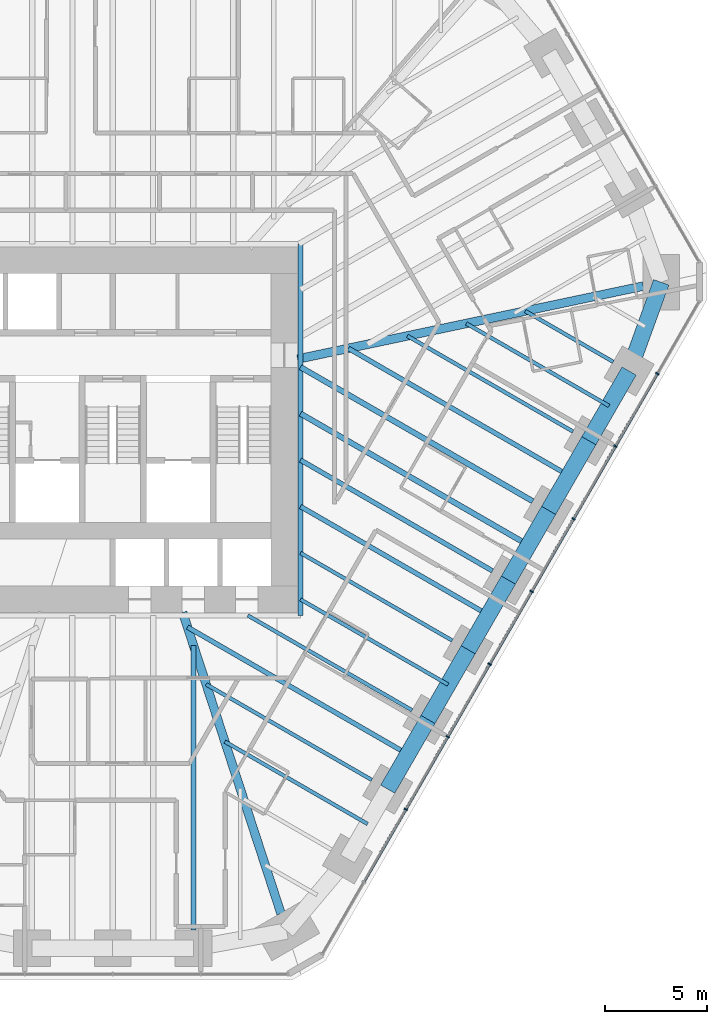
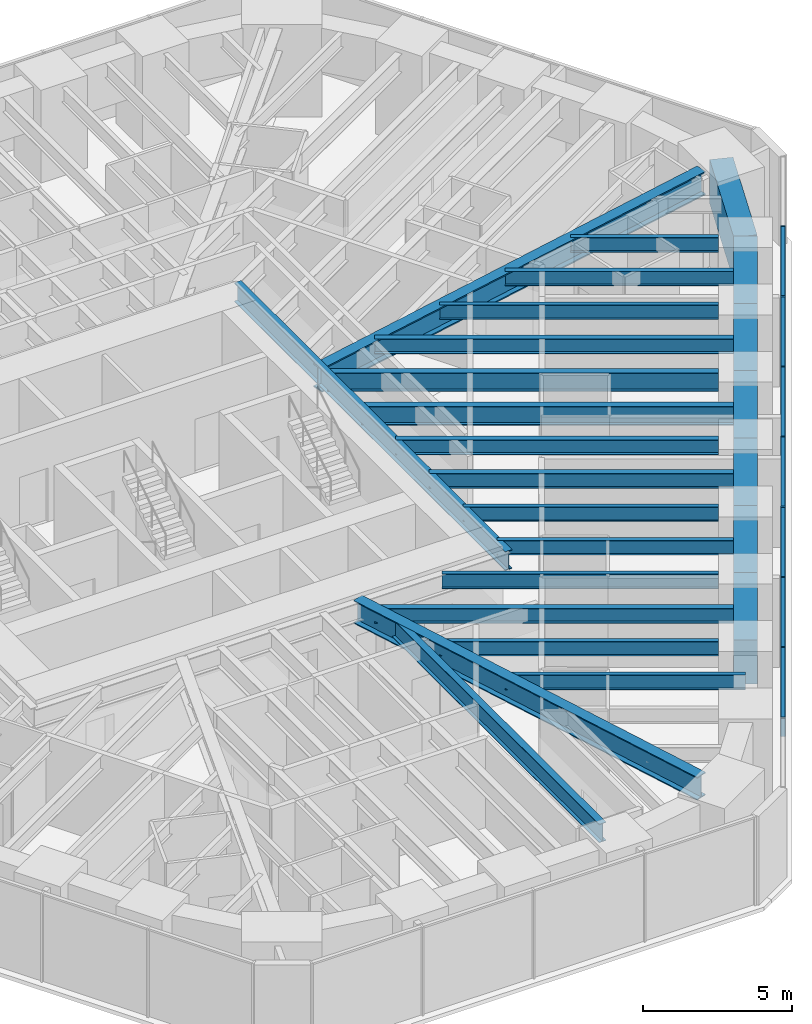
# One storey, part 5 of 17: 25 beams, 14 members, 1 element without a shape of its own.
"""IFC4 building model written with IfcOpenShell, lengths in metres."""

from ifc_helpers import new_model, si_unit, direction, frame, origin, origin_2d, place, context, subcontext, project, spatial, rectangle, i_section, extrude, material, material_profile, profile_set, type_object, element, aggregate, save


model = new_model("IFC4")

# Units and contexts
model_context = context("Model", 3, precision=1e-05, world=origin(), true_north=direction((0.0, 1.0)))
body_context = subcontext(model_context, "Body", "Model", "MODEL_VIEW")
ifc_project = project(units=[si_unit("LENGTHUNIT", "METRE"), si_unit("AREAUNIT", "SQUARE_METRE"), si_unit("VOLUMEUNIT", "CUBIC_METRE"), si_unit("PLANEANGLEUNIT", "RADIAN"), si_unit("MASSUNIT", "GRAM", prefix="KILO")], contexts=[model_context])

# Site, building, storey
site_placement = place(None, origin())
site = spatial("IfcSite", under=ifc_project, at=site_placement, CompositionType="ELEMENT")
building_placement = place(site_placement, origin())
building = spatial("IfcBuilding", under=site, at=building_placement, Name="Sandreach Pilgrim Tower", CompositionType="ELEMENT")
storey_placement = place(building_placement, frame((0.0, 0.0, 119.60009765625)))
storey = spatial("IfcBuildingStorey", under=building, at=storey_placement, Name="L29", CompositionType="ELEMENT", Elevation=119.60009765625)

# Curtain wall, members
ifc_material_1 = material(Name="Aluminium framed curtain wall", Category="aluminium")
curtain_wall_type = type_object("IfcCurtainWallType", Name="Hotel tower curtain wall", PredefinedType="NOTDEFINED", material=ifc_material_1)
curtain_wall_placement = place(storey_placement, origin())
curtain_wall = element("IfcCurtainWall", 1, at=curtain_wall_placement, inside=storey, type_object=curtain_wall_type, Name="CW-2 L29 SE", PredefinedType="NOTDEFINED")
ifc_material_2 = material(Name="Aluminium extrusion", Category="aluminium")
ifc_material_profile_1 = material_profile(ifc_material_2, rectangle(XDim=0.06494140625, YDim=0.179931640625, at=origin_2d()), Name="CW-2M 65X180")
ifc_profile_set_1 = profile_set([ifc_material_profile_1], Name="Aluminium extrusion")
member_type_1 = type_object("IfcMemberType", Name="CW-2 mullion", PredefinedType="MULLION", material=ifc_profile_set_1)
member_1_placement = place(storey_placement, frame((26.66748046875, 1.20166015625, 0.0), z_axis=(0.0, 0.0, 1.0), x_axis=(-0.5, -0.866025403784, 0.0)))
member_1 = element("IfcMember", 2, at=member_1_placement, type_object=member_type_1, Name="CW-2 mullion 2", PredefinedType="MULLION", context=body_context, shape_type="SweptSolid", body=[
    extrude(rectangle(XDim=0.06494140625, YDim=0.179931640625, at=origin_2d()), origin(), (0.0, 0.0, 1.0), 3.639892578125),
])
member_2_placement = place(storey_placement, frame((24.614013671875, -2.35498046875, 0.0), z_axis=(0.0, 0.0, 1.0), x_axis=(-0.5, -0.866025403784, 0.0)))
member_2 = element("IfcMember", 3, at=member_2_placement, type_object=member_type_1, Name="CW-2 mullion 3", PredefinedType="MULLION", context=body_context, shape_type="SweptSolid", body=[
    extrude(rectangle(XDim=0.06494140625, YDim=0.179931640625, at=origin_2d()), origin(), (0.0, 0.0, 1.0), 3.639892578125),
])
member_3_placement = place(storey_placement, frame((22.560302734375, -5.911865234375, 0.0), z_axis=(0.0, 0.0, 1.0), x_axis=(-0.5, -0.866025403784, 0.0)))
member_3 = element("IfcMember", 4, at=member_3_placement, type_object=member_type_1, Name="CW-2 mullion 4", PredefinedType="MULLION", context=body_context, shape_type="SweptSolid", body=[
    extrude(rectangle(XDim=0.06494140625, YDim=0.179931640625, at=origin_2d()), origin(), (0.0, 0.0, 1.0), 3.639892578125),
])
member_4_placement = place(storey_placement, frame((20.5068359375, -9.468505859375, 0.0), z_axis=(0.0, 0.0, 1.0), x_axis=(-0.5, -0.866025403784, 0.0)))
member_4 = element("IfcMember", 5, at=member_4_placement, type_object=member_type_1, Name="CW-2 mullion 5", PredefinedType="MULLION", context=body_context, shape_type="SweptSolid", body=[
    extrude(rectangle(XDim=0.06494140625, YDim=0.179931640625, at=origin_2d()), origin(), (0.0, 0.0, 1.0), 3.639892578125),
])
member_5_placement = place(storey_placement, frame((18.453369140625, -13.025146484375, 0.0), z_axis=(0.0, 0.0, 1.0), x_axis=(-0.5, -0.866025403784, 0.0)))
member_5 = element("IfcMember", 6, at=member_5_placement, type_object=member_type_1, Name="CW-2 mullion 6", PredefinedType="MULLION", context=body_context, shape_type="SweptSolid", body=[
    extrude(rectangle(XDim=0.06494140625, YDim=0.179931640625, at=origin_2d()), origin(), (0.0, 0.0, 1.0), 3.639892578125),
])
member_6_placement = place(storey_placement, frame((16.39990234375, -16.58203125, 0.0), z_axis=(0.0, 0.0, 1.0), x_axis=(-0.5, -0.866025403784, 0.0)))
member_6 = element("IfcMember", 7, at=member_6_placement, type_object=member_type_1, Name="CW-2 mullion 7", PredefinedType="MULLION", context=body_context, shape_type="SweptSolid", body=[
    extrude(rectangle(XDim=0.06494140625, YDim=0.179931640625, at=origin_2d()), origin(), (0.0, 0.0, 1.0), 3.639892578125),
])
member_7_placement = place(storey_placement, frame((14.346435546875, -20.138671875, 0.0), z_axis=(0.0, 0.0, 1.0), x_axis=(-0.5, -0.866025403784, 0.0)))
member_7 = element("IfcMember", 8, at=member_7_placement, type_object=member_type_1, Name="CW-2 mullion 8", PredefinedType="MULLION", context=body_context, shape_type="SweptSolid", body=[
    extrude(rectangle(XDim=0.06494140625, YDim=0.179931640625, at=origin_2d()), origin(), (0.0, 0.0, 1.0), 3.639892578125),
])
ifc_material_3 = material(Name="Aluminium extrusion", Category="aluminium")
ifc_material_profile_2 = material_profile(ifc_material_3, rectangle(XDim=0.139892578125, YDim=0.070068359375, at=origin_2d()), Name="CW-2T 140X70")
ifc_profile_set_2 = profile_set([ifc_material_profile_2], Name="Aluminium extrusion")
member_type_2 = type_object("IfcMemberType", Name="CW-2 transom", PredefinedType="USERDEFINED", material=ifc_profile_set_2)
member_8_placement = place(storey_placement, frame((26.651123046875, 1.173583984375, 3.60498046875), z_axis=(-0.499997818338, -0.866026663364, 0.0), x_axis=(0.866026663364, -0.499997818338, 0.0)))
member_8 = element("IfcMember", 9, at=member_8_placement, type_object=member_type_2, Name="CW-2 head transom 2", ObjectType="TRANSOM", PredefinedType="USERDEFINED", context=body_context, shape_type="SweptSolid", body=[
    extrude(rectangle(XDim=0.139892578125, YDim=0.070068359375, at=origin_2d()), origin(), (0.0, 0.0, 1.0), 4.0419921875),
])
member_9_placement = place(storey_placement, frame((24.59765625, -2.38330078125, 3.60498046875), z_axis=(-0.500023973715, -0.866011562111, 0.0), x_axis=(0.866011562111, -0.500023973715, 0.0)))
member_9 = element("IfcMember", 10, at=member_9_placement, type_object=member_type_2, Name="CW-2 head transom 3", ObjectType="TRANSOM", PredefinedType="USERDEFINED", context=body_context, shape_type="SweptSolid", body=[
    extrude(rectangle(XDim=0.139892578125, YDim=0.070068359375, at=origin_2d()), origin(), (0.0, 0.0, 1.0), 4.041748046875),
])
member_10_placement = place(storey_placement, frame((22.544189453125, -5.93994140625, 3.60498046875), z_axis=(-0.499997818338, -0.866026663364, 0.0), x_axis=(0.866026663364, -0.499997818338, 0.0)))
member_10 = element("IfcMember", 11, at=member_10_placement, type_object=member_type_2, Name="CW-2 head transom 4", ObjectType="TRANSOM", PredefinedType="USERDEFINED", context=body_context, shape_type="SweptSolid", body=[
    extrude(rectangle(XDim=0.139892578125, YDim=0.070068359375, at=origin_2d()), origin(), (0.0, 0.0, 1.0), 4.0419921875),
])
member_11_placement = place(storey_placement, frame((20.49072265625, -9.49658203125, 3.60498046875), z_axis=(-0.499997818338, -0.866026663364, 0.0), x_axis=(0.866026663364, -0.499997818338, 0.0)))
member_11 = element("IfcMember", 12, at=member_11_placement, type_object=member_type_2, Name="CW-2 head transom 5", ObjectType="TRANSOM", PredefinedType="USERDEFINED", context=body_context, shape_type="SweptSolid", body=[
    extrude(rectangle(XDim=0.139892578125, YDim=0.070068359375, at=origin_2d()), origin(), (0.0, 0.0, 1.0), 4.0419921875),
])
member_12_placement = place(storey_placement, frame((18.437255859375, -13.053466796875, 3.60498046875), z_axis=(-0.499997818338, -0.866026663364, 0.0), x_axis=(0.866026663364, -0.499997818338, 0.0)))
member_12 = element("IfcMember", 13, at=member_12_placement, type_object=member_type_2, Name="CW-2 head transom 6", ObjectType="TRANSOM", PredefinedType="USERDEFINED", context=body_context, shape_type="SweptSolid", body=[
    extrude(rectangle(XDim=0.139892578125, YDim=0.070068359375, at=origin_2d()), origin(), (0.0, 0.0, 1.0), 4.0419921875),
])
member_13_placement = place(storey_placement, frame((16.3837890625, -16.610107421875, 3.60498046875), z_axis=(-0.499997818338, -0.866026663364, 0.0), x_axis=(0.866026663364, -0.499997818338, 0.0)))
member_13 = element("IfcMember", 14, at=member_13_placement, type_object=member_type_2, Name="CW-2 head transom 7", ObjectType="TRANSOM", PredefinedType="USERDEFINED", context=body_context, shape_type="SweptSolid", body=[
    extrude(rectangle(XDim=0.139892578125, YDim=0.070068359375, at=origin_2d()), origin(), (0.0, 0.0, 1.0), 4.0419921875),
])
member_14_placement = place(storey_placement, frame((14.330322265625, -20.1669921875, 3.60498046875), z_axis=(-0.500023973715, -0.866011562111, 0.0), x_axis=(0.866011562111, -0.500023973715, 0.0)))
member_14 = element("IfcMember", 15, at=member_14_placement, type_object=member_type_2, Name="CW-2 head transom 8", ObjectType="TRANSOM", PredefinedType="USERDEFINED", context=body_context, shape_type="SweptSolid", body=[
    extrude(rectangle(XDim=0.139892578125, YDim=0.070068359375, at=origin_2d()), origin(), (0.0, 0.0, 1.0), 4.041748046875),
])
aggregate(curtain_wall, [member_1, member_2, member_3, member_4, member_5, member_6, member_7, member_8, member_9, member_10, member_11, member_12, member_13, member_14])

# Beams
ifc_material_4 = material(Name="Steel ASTM A992 Grade 50", Category="steel")
ifc_material_profile_3 = material_profile(ifc_material_4, i_section(OverallWidth=0.2666015625, OverallDepth=0.77978515625, WebThickness=0.0166015625, FlangeThickness=0.030029296875, at=origin_2d()), Name="W30X148")
ifc_profile_set_3 = profile_set([ifc_material_profile_3], Name="Steel ASTM A992 Grade 50")
beam_type_1 = type_object("IfcBeamType", Name="Core edge beam W30X148", PredefinedType="BEAM", material=ifc_profile_set_3)
beam_1_placement = place(storey_placement, frame((9.193359375, 7.54345703125, 3.25), z_axis=(0.0, -1.0, 0.0), x_axis=(1.0, 0.0, 0.0)))
element("IfcBeam", 16, at=beam_1_placement, inside=storey, type_object=beam_type_1, Name="BM L29 CEE", PredefinedType="BEAM", context=body_context, shape_type="SweptSolid", body=[
    extrude(i_section(OverallWidth=0.2666015625, OverallDepth=0.77978515625, WebThickness=0.0166015625, FlangeThickness=0.030029296875, at=origin_2d()), origin(), (0.0, 0.0, 1.0), 18.186767578125),
])
ifc_material_5 = material(Name="Steel ASTM A992 Grade 50", Category="steel")
ifc_material_profile_4 = material_profile(ifc_material_5, i_section(OverallWidth=0.421630859375, OverallDepth=0.937255859375, WebThickness=0.0224609375, FlangeThickness=0.039794921875, at=origin_2d()), Name="W36X282")
ifc_profile_set_4 = profile_set([ifc_material_profile_4], Name="Steel ASTM A992 Grade 50")
beam_type_2 = type_object("IfcBeamType", Name="Corner girder W36X282", PredefinedType="BEAM", material=ifc_profile_set_4)
beam_2_placement = place(storey_placement, frame((8.238525390625, -25.23876953125, 3.17138671875), z_axis=(-0.310307109519, 0.950636364643, 0.0), x_axis=(-0.950636364643, -0.310307109519, 0.0)))
element("IfcBeam", 17, at=beam_2_placement, inside=storey, type_object=beam_type_2, Name="BM L29 CG22", PredefinedType="BEAM", context=body_context, shape_type="SweptSolid", body=[
    extrude(i_section(OverallWidth=0.421630859375, OverallDepth=0.937255859375, WebThickness=0.0224609375, FlangeThickness=0.039794921875, at=origin_2d()), origin(), (0.0, 0.0, 1.0), 15.504150390625),
])
ifc_material_6 = material(Name="Steel ASTM A992 Grade 50", Category="steel")
ifc_material_profile_5 = material_profile(ifc_material_6, i_section(OverallWidth=0.424072265625, OverallDepth=0.965087890625, WebThickness=0.028564453125, FlangeThickness=0.051025390625, at=origin_2d()), Name="W36X361")
ifc_profile_set_5 = profile_set([ifc_material_profile_5], Name="Steel ASTM A992 Grade 50")
beam_type_3 = type_object("IfcBeamType", Name="Corner girder W36X361", PredefinedType="BEAM", material=ifc_profile_set_5)
beam_3_placement = place(storey_placement, frame((25.976806640625, 5.484619140625, 3.1572265625), z_axis=(-0.978427882284, -0.206588671447, 0.0), x_axis=(0.206588671447, -0.978427882284, 0.0)))
element("IfcBeam", 18, at=beam_3_placement, inside=storey, type_object=beam_type_3, Name="BM L29 CG13", PredefinedType="BEAM", context=body_context, shape_type="SweptSolid", body=[
    extrude(i_section(OverallWidth=0.424072265625, OverallDepth=0.965087890625, WebThickness=0.028564453125, FlangeThickness=0.051025390625, at=origin_2d()), origin(), (0.0, 0.0, 1.0), 17.300048828125),
])
ifc_material_7 = material(Name="Steel ASTM A992 Grade 50", Category="steel")
ifc_material_profile_6 = material_profile(ifc_material_7, i_section(OverallWidth=0.1787109375, OverallDepth=0.60205078125, WebThickness=0.010986328125, FlangeThickness=0.014892578125, at=origin_2d()), Name="W24X62")
ifc_profile_set_6 = profile_set([ifc_material_profile_6], Name="Steel ASTM A992 Grade 50")
beam_type_4 = type_object("IfcBeamType", Name="Floor beam W24X62", PredefinedType="BEAM", material=ifc_profile_set_6)
beam_4_placement = place(storey_placement, frame((24.50439453125, 1.775390625, 3.3388671875), z_axis=(-0.866024645457, 0.500001313459, 0.0), x_axis=(-0.500001313459, -0.866024645457, 0.0)))
element("IfcBeam", 19, at=beam_4_placement, inside=storey, type_object=beam_type_4, Name="BM L29 F14", PredefinedType="BEAM", context=body_context, shape_type="SweptSolid", body=[
    extrude(i_section(OverallWidth=0.1787109375, OverallDepth=0.60205078125, WebThickness=0.010986328125, FlangeThickness=0.014892578125, at=origin_2d()), origin(), (0.0, 0.0, 1.0), 4.9765625),
])
beam_5_placement = place(storey_placement, frame((22.534423828125, -1.63671875, 3.3388671875), z_axis=(-0.866012351917, 0.500022605817, 0.0), x_axis=(-0.500022605817, -0.866012351917, 0.0)))
element("IfcBeam", 20, at=beam_5_placement, inside=storey, type_object=beam_type_4, Name="BM L29 F15", PredefinedType="BEAM", context=body_context, shape_type="SweptSolid", body=[
    extrude(i_section(OverallWidth=0.1787109375, OverallDepth=0.60205078125, WebThickness=0.010986328125, FlangeThickness=0.014892578125, at=origin_2d()), origin(), (0.0, 0.0, 1.0), 9.3642578125),
])
beam_6_placement = place(storey_placement, frame((16.62451171875, -11.873046875, 3.3388671875), z_axis=(-0.866017857595, 0.500013070155, 0.0), x_axis=(-0.500013070155, -0.866017857595, 0.0)))
element("IfcBeam", 21, at=beam_6_placement, inside=storey, type_object=beam_type_4, Name="BM L29 F18", PredefinedType="BEAM", context=body_context, shape_type="SweptSolid", body=[
    extrude(i_section(OverallWidth=0.1787109375, OverallDepth=0.60205078125, WebThickness=0.010986328125, FlangeThickness=0.014892578125, at=origin_2d()), origin(), (0.0, 0.0, 1.0), 8.580810546875),
])
beam_7_placement = place(storey_placement, frame((14.654541015625, -15.28515625, 3.3388671875), z_axis=(-0.866015659929, 0.500016876472, 0.0), x_axis=(-0.500016876472, -0.866015659929, 0.0)))
element("IfcBeam", 22, at=beam_7_placement, inside=storey, type_object=beam_type_4, Name="BM L29 F19", PredefinedType="BEAM", context=body_context, shape_type="SweptSolid", body=[
    extrude(i_section(OverallWidth=0.1787109375, OverallDepth=0.60205078125, WebThickness=0.010986328125, FlangeThickness=0.014892578125, at=origin_2d()), origin(), (0.0, 0.0, 1.0), 9.283447265625),
])
beam_8_placement = place(storey_placement, frame((12.6845703125, -18.697265625, 3.3388671875), z_axis=(-0.866012351917, 0.500022605817, 0.0), x_axis=(-0.500022605817, -0.866012351917, 0.0)))
element("IfcBeam", 23, at=beam_8_placement, inside=storey, type_object=beam_type_4, Name="BM L29 F20", PredefinedType="BEAM", context=body_context, shape_type="SweptSolid", body=[
    extrude(i_section(OverallWidth=0.1787109375, OverallDepth=0.60205078125, WebThickness=0.010986328125, FlangeThickness=0.014892578125, at=origin_2d()), origin(), (0.0, 0.0, 1.0), 9.3642578125),
])
beam_9_placement = place(storey_placement, frame((24.298828125, -0.380615234375, 3.3388671875), z_axis=(-0.866022864518, 0.500004398112, 0.0), x_axis=(-0.500004398112, -0.866022864518, 0.0)))
element("IfcBeam", 24, at=beam_9_placement, inside=storey, type_object=beam_type_4, Name="BM L29 FM14", PredefinedType="BEAM", context=body_context, shape_type="SweptSolid", body=[
    extrude(i_section(OverallWidth=0.1787109375, OverallDepth=0.60205078125, WebThickness=0.010986328125, FlangeThickness=0.014892578125, at=origin_2d()), origin(), (0.0, 0.0, 1.0), 8.0703125),
])
beam_10_placement = place(storey_placement, frame((16.4189453125, -14.029052734375, 3.3388671875), z_axis=(-0.866016009309, 0.500016271356, 0.0), x_axis=(-0.500016271356, -0.866016009309, 0.0)))
element("IfcBeam", 25, at=beam_10_placement, inside=storey, type_object=beam_type_4, Name="BM L29 FM18", PredefinedType="BEAM", context=body_context, shape_type="SweptSolid", body=[
    extrude(i_section(OverallWidth=0.1787109375, OverallDepth=0.60205078125, WebThickness=0.010986328125, FlangeThickness=0.014892578125, at=origin_2d()), origin(), (0.0, 0.0, 1.0), 8.343505859375),
])
beam_11_placement = place(storey_placement, frame((12.47900390625, -20.853271484375, 3.3388671875), z_axis=(-0.866017328257, 0.500013986963, 0.0), x_axis=(-0.500013986963, -0.866017328257, 0.0)))
element("IfcBeam", 26, at=beam_11_placement, inside=storey, type_object=beam_type_4, Name="BM L29 FM20", PredefinedType="BEAM", context=body_context, shape_type="SweptSolid", body=[
    extrude(i_section(OverallWidth=0.1787109375, OverallDepth=0.60205078125, WebThickness=0.010986328125, FlangeThickness=0.014892578125, at=origin_2d()), origin(), (0.0, 0.0, 1.0), 8.070556640625),
])
ifc_material_8 = material(Name="Steel ASTM A992 Grade 50", Category="steel")
ifc_material_profile_7 = material_profile(ifc_material_8, i_section(OverallWidth=0.23046875, OverallDepth=0.6171875, WebThickness=0.01318359375, FlangeThickness=0.022216796875, at=origin_2d()), Name="W24X94")
ifc_profile_set_7 = profile_set([ifc_material_profile_7], Name="Steel ASTM A992 Grade 50")
beam_type_5 = type_object("IfcBeamType", Name="Floor beam W24X94", PredefinedType="BEAM", material=ifc_profile_set_7)
beam_12_placement = place(storey_placement, frame((18.594482421875, -8.4609375, 3.331298828125), z_axis=(-0.866015926388, 0.500016414973, 0.0), x_axis=(-0.500016414973, -0.866015926388, 0.0)))
element("IfcBeam", 27, at=beam_12_placement, inside=storey, type_object=beam_type_5, Name="BM L29 F17", PredefinedType="BEAM", context=body_context, shape_type="SweptSolid", body=[
    extrude(i_section(OverallWidth=0.23046875, OverallDepth=0.6171875, WebThickness=0.01318359375, FlangeThickness=0.022216796875, at=origin_2d()), origin(), (0.0, 0.0, 1.0), 10.855712890625),
])
beam_13_placement = place(storey_placement, frame((22.328857421875, -3.792724609375, 3.331298828125), z_axis=(-0.866019150617, 0.500010830648, 0.0), x_axis=(-0.500010830648, -0.866019150617, 0.0)))
element("IfcBeam", 28, at=beam_13_placement, inside=storey, type_object=beam_type_5, Name="BM L29 FM15", PredefinedType="BEAM", context=body_context, shape_type="SweptSolid", body=[
    extrude(i_section(OverallWidth=0.23046875, OverallDepth=0.6171875, WebThickness=0.01318359375, FlangeThickness=0.022216796875, at=origin_2d()), origin(), (0.0, 0.0, 1.0), 12.458251953125),
])
beam_14_placement = place(storey_placement, frame((18.388916015625, -10.616943359375, 3.331298828125), z_axis=(-0.866024387147, 0.500001760863, 0.0), x_axis=(-0.500001760863, -0.866024387147, 0.0)))
element("IfcBeam", 29, at=beam_14_placement, inside=storey, type_object=beam_type_5, Name="BM L29 FM17", PredefinedType="BEAM", context=body_context, shape_type="SweptSolid", body=[
    extrude(i_section(OverallWidth=0.23046875, OverallDepth=0.6171875, WebThickness=0.01318359375, FlangeThickness=0.022216796875, at=origin_2d()), origin(), (0.0, 0.0, 1.0), 10.6181640625),
])
beam_15_placement = place(storey_placement, frame((14.448974609375, -17.441162109375, 3.331298828125), z_axis=(-0.866019150617, 0.500010830648, 0.0), x_axis=(-0.500010830648, -0.866019150617, 0.0)))
element("IfcBeam", 30, at=beam_15_placement, inside=storey, type_object=beam_type_5, Name="BM L29 FM19", PredefinedType="BEAM", context=body_context, shape_type="SweptSolid", body=[
    extrude(i_section(OverallWidth=0.23046875, OverallDepth=0.6171875, WebThickness=0.01318359375, FlangeThickness=0.022216796875, at=origin_2d()), origin(), (0.0, 0.0, 1.0), 12.458251953125),
])
ifc_material_9 = material(Name="Steel ASTM A992 Grade 50", Category="steel")
ifc_material_profile_8 = material_profile(ifc_material_9, i_section(OverallWidth=0.2666015625, OverallDepth=0.761962890625, WebThickness=0.014404296875, FlangeThickness=0.021484375, at=origin_2d()), Name="W30X116")
ifc_profile_set_8 = profile_set([ifc_material_profile_8], Name="Steel ASTM A992 Grade 50")
beam_type_6 = type_object("IfcBeamType", Name="Floor beam W30X116", PredefinedType="BEAM", material=ifc_profile_set_8)
beam_16_placement = place(storey_placement, frame((20.564453125, -5.048828125, 3.2587890625), z_axis=(-0.866022715736, 0.500004655807, 0.0), x_axis=(-0.500004655807, -0.866022715736, 0.0)))
element("IfcBeam", 31, at=beam_16_placement, inside=storey, type_object=beam_type_6, Name="BM L29 F16", PredefinedType="BEAM", context=body_context, shape_type="SweptSolid", body=[
    extrude(i_section(OverallWidth=0.2666015625, OverallDepth=0.761962890625, WebThickness=0.014404296875, FlangeThickness=0.021484375, at=origin_2d()), origin(), (0.0, 0.0, 1.0), 13.130126953125),
])
beam_17_placement = place(storey_placement, frame((3.955322265625, -26.0322265625, 3.2587890625), z_axis=(0.0, 1.0, 0.0), x_axis=(-1.0, 0.0, 0.0)))
element("IfcBeam", 32, at=beam_17_placement, inside=storey, type_object=beam_type_6, Name="BM L29 F23", PredefinedType="BEAM", context=body_context, shape_type="SweptSolid", body=[
    extrude(i_section(OverallWidth=0.2666015625, OverallDepth=0.761962890625, WebThickness=0.014404296875, FlangeThickness=0.021484375, at=origin_2d()), origin(), (0.0, 0.0, 1.0), 13.91552734375),
])
beam_18_placement = place(storey_placement, frame((20.35888671875, -7.204833984375, 3.2587890625), z_axis=(-0.866021609098, 0.500006572533, 0.0), x_axis=(-0.500006572533, -0.866021609098, 0.0)))
element("IfcBeam", 33, at=beam_18_placement, inside=storey, type_object=beam_type_6, Name="BM L29 FM16", PredefinedType="BEAM", context=body_context, shape_type="SweptSolid", body=[
    extrude(i_section(OverallWidth=0.2666015625, OverallDepth=0.761962890625, WebThickness=0.014404296875, FlangeThickness=0.021484375, at=origin_2d()), origin(), (0.0, 0.0, 1.0), 12.892822265625),
])
ifc_material_10 = material(Name="Concrete 10000 psi", Category="concrete")
ifc_material_profile_9 = material_profile(ifc_material_10, rectangle(XDim=0.800048828125, YDim=1.800048828125, at=origin_2d()), Name="RC800X1800")
ifc_profile_set_9 = profile_set([ifc_material_profile_9], Name="Concrete 10000 psi")
beam_type_7 = type_object("IfcBeamType", Name="Spandrel beam RC800X1800", PredefinedType="SPANDREL", material=ifc_profile_set_9)
beam_19_placement = place(storey_placement, frame((26.857177734375, 5.67041015625, 2.739990234375), z_axis=(-0.340453163563, -0.940261476091, 0.0), x_axis=(0.940261476091, -0.340453163563, 0.0)))
element("IfcBeam", 34, at=beam_19_placement, inside=storey, type_object=beam_type_7, Name="BM L29 SP13", PredefinedType="SPANDREL", context=body_context, shape_type="SweptSolid", body=[
    extrude(rectangle(XDim=0.800048828125, YDim=1.800048828125, at=origin_2d()), origin(), (0.0, 0.0, 1.0), 4.62109375),
])
for number, where, z_axis, x_axis, name in (
    (35, (25.283935546875, 1.325439453125, 2.739990234375), (-0.49999779889, -0.866026674592, 0.0), (0.866026674592, -0.49999779889, 0.0), "BM L29 SP14"),
    (36, (23.31396484375, -2.086669921875, 2.739990234375), (-0.49999779889, -0.866026674592, 0.0), (0.866026674592, -0.49999779889, 0.0), "BM L29 SP15"),
    (37, (21.343994140625, -5.498779296875, 2.739990234375), (-0.49999779889, -0.866026674592, 0.0), (0.866026674592, -0.49999779889, 0.0), "BM L29 SP16"),
    (38, (19.3740234375, -8.910888671875, 2.739990234375), (-0.49999779889, -0.866026674592, 0.0), (0.866026674592, -0.49999779889, 0.0), "BM L29 SP17"),
    (39, (17.404052734375, -12.322998046875, 2.739990234375), (-0.49999779889, -0.866026674592, 0.0), (0.866026674592, -0.49999779889, 0.0), "BM L29 SP18"),
    (40, (15.43408203125, -15.735107421875, 2.739990234375), (-0.49999779889, -0.866026674592, 0.0), (0.866026674592, -0.49999779889, 0.0), "BM L29 SP19"),
):
    element("IfcBeam", number, at=place(storey_placement, frame(where, z_axis=z_axis, x_axis=x_axis)), inside=storey, type_object=beam_type_7, Name=name, PredefinedType="SPANDREL", context=body_context, shape_type="SweptSolid", body=[
        extrude(rectangle(XDim=0.800048828125, YDim=1.800048828125, at=origin_2d()), origin(), (0.0, 0.0, 1.0), 3.93994140625),
    ])

save(model, "model.ifc")
